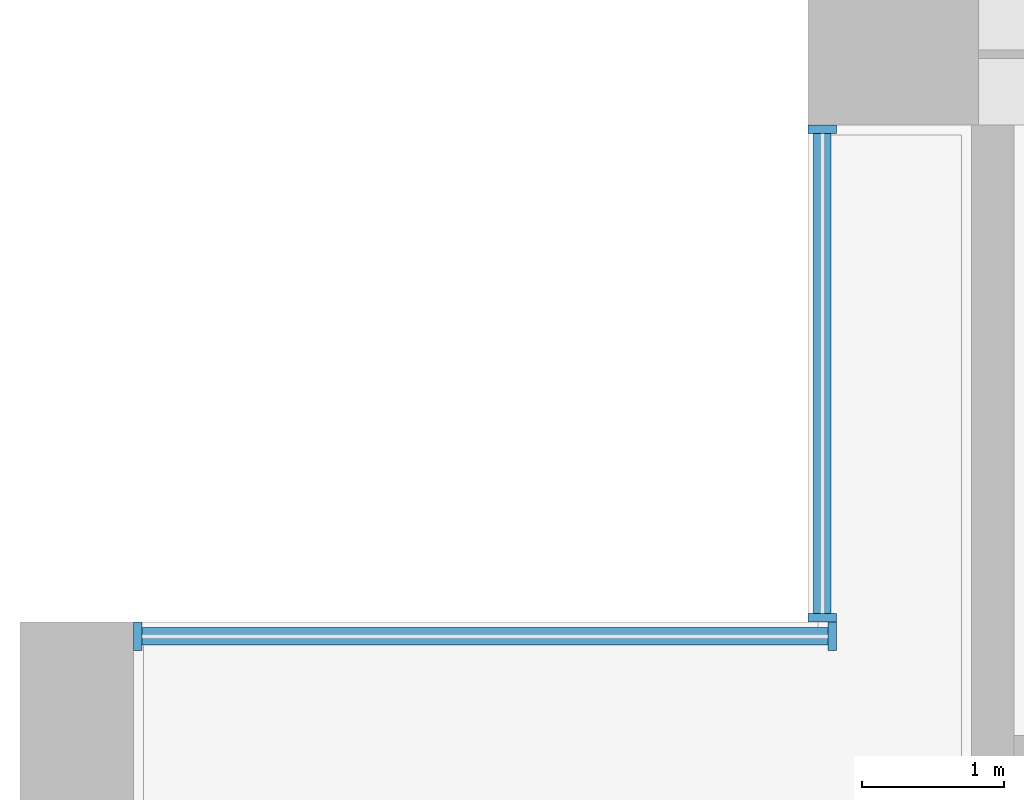
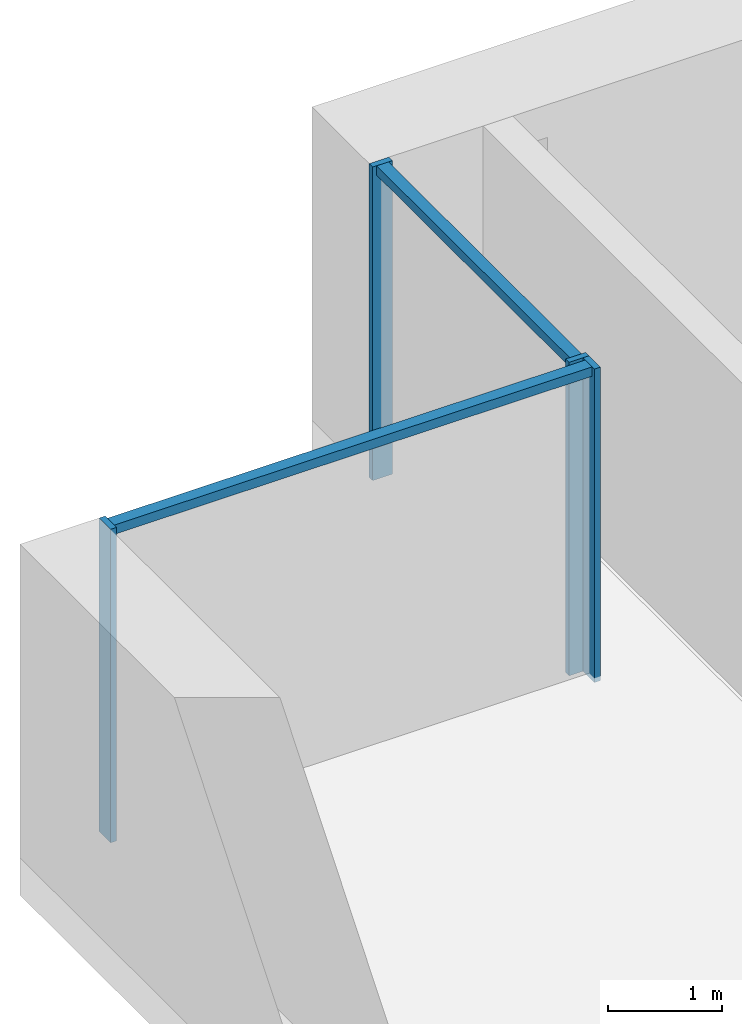
# One storey, part 4 of 18: 6 members, 2 elements without a shape of their own.
"""IFC4 building model written with IfcOpenShell, lengths in metres."""

from ifc_helpers import new_model, si_unit, direction, frame, origin, origin_2d, place, context, subcontext, project, spatial, rectangle, extrude, material, material_profile, profile_set, type_object, element, aggregate, save


model = new_model("IFC4")

# Units and contexts
model_context = context("Model", 3, precision=1e-05, world=origin(), true_north=direction((0.0, 1.0)))
body_context = subcontext(model_context, "Body", "Model", "MODEL_VIEW")
ifc_project = project(units=[si_unit("LENGTHUNIT", "METRE"), si_unit("AREAUNIT", "SQUARE_METRE"), si_unit("VOLUMEUNIT", "CUBIC_METRE"), si_unit("PLANEANGLEUNIT", "RADIAN"), si_unit("MASSUNIT", "GRAM", prefix="KILO")], contexts=[model_context])

# Site, building, storey
site_placement = place(None, origin())
site = spatial("IfcSite", under=ifc_project, at=site_placement, CompositionType="ELEMENT")
building_placement = place(site_placement, origin())
building = spatial("IfcBuilding", under=site, at=building_placement, Name="Calvaro Tower", CompositionType="ELEMENT")
storey_placement = place(building_placement, frame((0.0, 0.0, 48.75)))
storey = spatial("IfcBuildingStorey", under=building, at=storey_placement, Name="L11", CompositionType="ELEMENT", Elevation=48.75)

# Curtain wall, members
ifc_material_1 = material(Name="Anodised aluminium", Category="aluminium")
curtain_wall_type = type_object("IfcCurtainWallType", Name="Office curtain wall, lower zone", PredefinedType="NOTDEFINED", material=ifc_material_1)
curtain_wall_1_placement = place(storey_placement, origin())
curtain_wall_1 = element("IfcCurtainWall", 1, at=curtain_wall_1_placement, inside=storey, type_object=curtain_wall_type, Name="CW1 corner curtain wall", PredefinedType="NOTDEFINED")
ifc_material_2 = material(Name="Anodised aluminium", Category="aluminium")
ifc_material_profile_1 = material_profile(ifc_material_2, rectangle(XDim=0.199951171875, YDim=0.06005859375, at=origin_2d()), Name="Mullion S1 60 x 200")
ifc_profile_set_1 = profile_set([ifc_material_profile_1], Name="Anodised aluminium")
member_type_1 = type_object("IfcMemberType", Name="Mullion S1 60 x 200", PredefinedType="MULLION", material=ifc_profile_set_1)
member_1_placement = place(storey_placement, frame((5.64990234375, 41.530029296875, 0.0), z_axis=(0.0, 0.0, 1.0), x_axis=(-1.0, 0.0, 0.0)))
member_1 = element("IfcMember", 2, at=member_1_placement, type_object=member_type_1, Name="CW1 mullion 1", PredefinedType="MULLION", context=body_context, shape_type="SweptSolid", body=[
    extrude(rectangle(XDim=0.199951171875, YDim=0.06005859375, at=origin_2d()), origin(), (0.0, 0.0, 1.0), 3.35009765625),
])
member_2_placement = place(storey_placement, frame((5.64990234375, 44.969970703125, 0.0), z_axis=(0.0, 0.0, 1.0), x_axis=(-1.0, 0.0, 0.0)))
member_2 = element("IfcMember", 3, at=member_2_placement, type_object=member_type_1, Name="CW1 mullion 2", PredefinedType="MULLION", context=body_context, shape_type="SweptSolid", body=[
    extrude(rectangle(XDim=0.199951171875, YDim=0.06005859375, at=origin_2d()), origin(), (0.0, 0.0, 1.0), 3.35009765625),
])

curtain_wall_2_placement = place(storey_placement, origin())
curtain_wall_2 = element("IfcCurtainWall", 4, at=curtain_wall_2_placement, inside=storey, type_object=curtain_wall_type, Name="CW1 corner curtain wall", PredefinedType="NOTDEFINED")
member_3_placement = place(storey_placement, frame((0.830078125, 41.39990234375, 0.0), z_axis=(0.0, 0.0, 1.0), x_axis=(0.0, 1.0, 0.0)))
member_3 = element("IfcMember", 5, at=member_3_placement, type_object=member_type_1, Name="CW1 mullion 1", PredefinedType="MULLION", context=body_context, shape_type="SweptSolid", body=[
    extrude(rectangle(XDim=0.199951171875, YDim=0.06005859375, at=origin_2d()), origin(), (0.0, 0.0, 1.0), 3.35009765625),
])
member_4_placement = place(storey_placement, frame((5.719970703125, 41.39990234375, 0.0), z_axis=(0.0, 0.0, 1.0), x_axis=(0.0, 1.0, 0.0)))
member_4 = element("IfcMember", 6, at=member_4_placement, type_object=member_type_1, Name="CW1 mullion 2", PredefinedType="MULLION", context=body_context, shape_type="SweptSolid", body=[
    extrude(rectangle(XDim=0.199951171875, YDim=0.06005859375, at=origin_2d()), origin(), (0.0, 0.0, 1.0), 3.35009765625),
])

# Member
ifc_material_3 = material(Name="Anodised aluminium", Category="aluminium")
ifc_material_profile_2 = material_profile(ifc_material_3, rectangle(XDim=0.1201171875, YDim=0.10009765625, at=origin_2d()), Name="Transom S1 100 x 120")
ifc_profile_set_2 = profile_set([ifc_material_profile_2], Name="Anodised aluminium")
member_type_2 = type_object("IfcMemberType", Name="Transom S1 100 x 120", PredefinedType="USERDEFINED", material=ifc_profile_set_2)
member_5_placement = place(storey_placement, frame((5.64990234375, 41.56005859375, 3.300048828125), z_axis=(0.0, 1.0, 0.0), x_axis=(-1.0, 0.0, 0.0)))
member_5 = element("IfcMember", 7, at=member_5_placement, type_object=member_type_2, Name="CW1 transom 1.1", ObjectType="TRANSOM", PredefinedType="USERDEFINED", context=body_context, shape_type="SweptSolid", body=[
    extrude(rectangle(XDim=0.1201171875, YDim=0.10009765625, at=origin_2d()), origin(), (0.0, 0.0, 1.0), 3.3798828125),
])

aggregate(curtain_wall_1, [member_1, member_2, member_5])

member_6_placement = place(storey_placement, frame((0.860107421875, 41.39990234375, 3.300048828125), z_axis=(1.0, 0.0, 0.0), x_axis=(0.0, 1.0, 0.0)))
member_6 = element("IfcMember", 8, at=member_6_placement, type_object=member_type_2, Name="CW1 transom 1.1", ObjectType="TRANSOM", PredefinedType="USERDEFINED", context=body_context, shape_type="SweptSolid", body=[
    extrude(rectangle(XDim=0.1201171875, YDim=0.10009765625, at=origin_2d()), origin(), (0.0, 0.0, 1.0), 4.829833984375),
])

aggregate(curtain_wall_2, [member_3, member_4, member_6])

save(model, "model.ifc")
